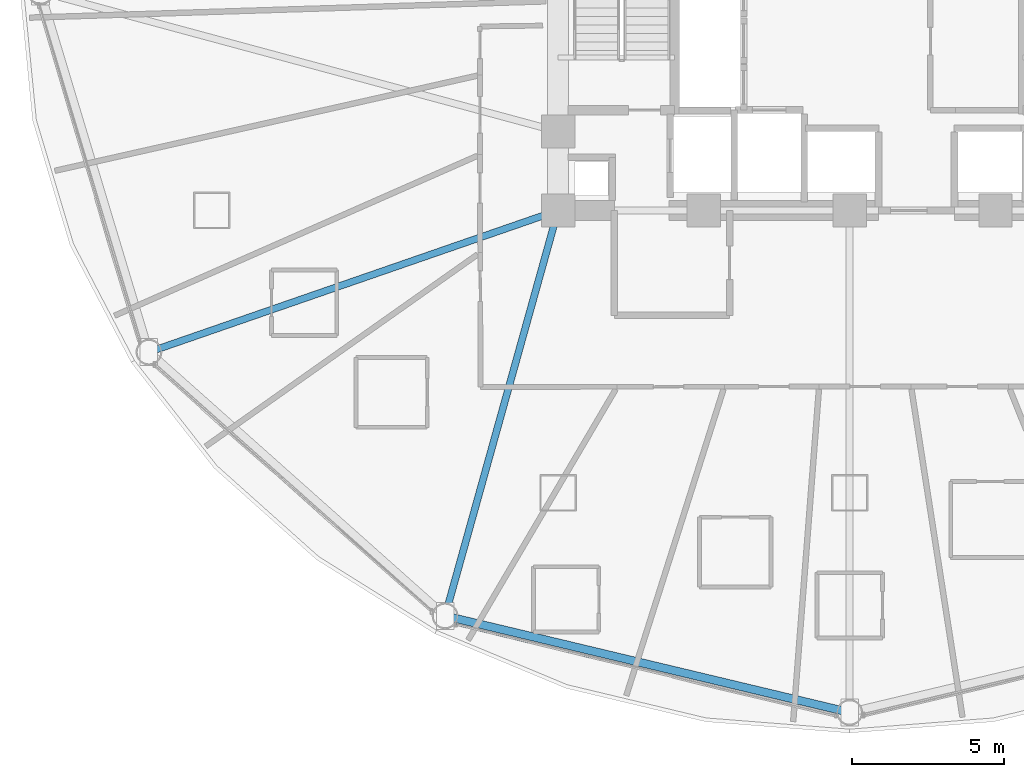
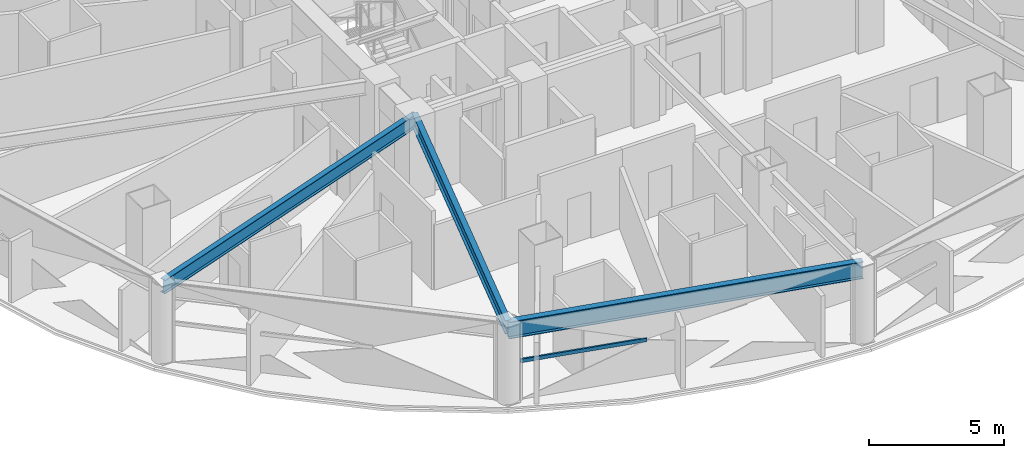
# One storey, part 3 of 32: 3 beams, 1 member, 1 element without a shape of its own.
"""IFC4 building model written with IfcOpenShell, lengths in metres."""

import ifcopenshell
import ifcopenshell.guid

model = None  # the IFC model being written
_history = None  # IfcOwnerHistory: only IFC2X3 demands one
_inside = {}  # id of a spatial element -> (the spatial element, [elements in it])
_under = {}  # id of a project, library or spatial element -> (it, [spatial elements below it])
_declared = {}  # id of a project -> (the project, [libraries it declares])
_typed = {}  # id of a type object -> (the type object, [elements of that type])
_made_of = {}  # id of a material, layer set ... -> (it, [elements and type objects made of it])


def new_model(schema):
    """Start an empty IFC model of exactly this schema.

    Asked for "IFC4X3", IfcOpenShell would pick the latest addendum, in which some entities
    have other attributes; the version numbers below select the first issue.
    IFC2X3 requires an IfcOwnerHistory on every rooted entity: one is made here for all.
    """
    global model, _history
    if schema == "IFC4X3":
        model = ifcopenshell.file(schema_version=(4, 3, 0, 0))
    else:
        model = ifcopenshell.file(schema=schema)
    _inside.clear()
    _under.clear()
    _declared.clear()
    _typed.clear()
    _made_of.clear()
    _history = None
    if model.schema == "IFC2X3":
        org = make("IfcOrganization", Name="unknown")
        user = make(
            "IfcPersonAndOrganization",
            ThePerson=make("IfcPerson", FamilyName="unknown"),
            TheOrganization=org,
        )
        app = make(
            "IfcApplication",
            ApplicationDeveloper=org,
            Version="unknown",
            ApplicationFullName="unknown",
            ApplicationIdentifier="unknown",
        )
        _history = make(
            "IfcOwnerHistory",
            OwningUser=user,
            OwningApplication=app,
            ChangeAction="ADDED",
            CreationDate=0,
        )
    return model


def make(cls, **values):
    """One entity of the class cls with the attributes given. An attribute that is None is left unset."""
    return model.create_entity(
        cls, **{name: value for name, value in values.items() if value is not None}
    )


def rooted(cls, **values):
    """An entity with a GlobalId (a new one), such as an element, a storey or a relation."""
    return make(cls, GlobalId=ifcopenshell.guid.new(), OwnerHistory=_history, **values)


def si_unit(unit_type, name, prefix=None):
    """IfcSIUnit, for example si_unit("LENGTHUNIT", "METRE", prefix="MILLI")."""
    return make("IfcSIUnit", UnitType=unit_type, Prefix=prefix, Name=name)


def assignment(units):
    """IfcUnitAssignment: the units of a project."""
    return None if units is None else make("IfcUnitAssignment", Units=units)


def point(xyz):
    """IfcCartesianPoint."""
    return None if xyz is None else make("IfcCartesianPoint", Coordinates=xyz)


def direction(xyz):
    """IfcDirection."""
    return None if xyz is None else make("IfcDirection", DirectionRatios=xyz)


def frame(location, z_axis=None, x_axis=None):
    """IfcAxis2Placement3D, a coordinate frame: its origin and axes. An axis left out is left unset."""
    return make(
        "IfcAxis2Placement3D",
        Location=point(location),
        Axis=direction(z_axis),
        RefDirection=direction(x_axis),
    )


def frame_2d(location, x_axis=None):
    """IfcAxis2Placement2D, a coordinate frame in the plane: its origin and x axis."""
    return make(
        "IfcAxis2Placement2D", Location=point(location), RefDirection=direction(x_axis)
    )


def origin():
    """The frame at (0, 0, 0) with its axes left unset."""
    return frame((0.0, 0.0, 0.0))


def origin_2d():
    """The frame at (0, 0) in the plane with its x axis left unset."""
    return frame_2d((0.0, 0.0))


def place(relative_to, where):
    """IfcLocalPlacement: puts the frame where relative to a parent placement (None: the world)."""
    return make(
        "IfcLocalPlacement", PlacementRelTo=relative_to, RelativePlacement=where
    )


def context(
    kind, dimensions, precision=None, world=None, true_north=None, identifier=None
):
    """IfcGeometricRepresentationContext, for example the 3D "Model" context."""
    return make(
        "IfcGeometricRepresentationContext",
        ContextIdentifier=identifier,
        ContextType=kind,
        CoordinateSpaceDimension=dimensions,
        Precision=precision,
        WorldCoordinateSystem=world,
        TrueNorth=true_north,
    )


def subcontext(parent, identifier, kind, view, scale=None):
    """IfcGeometricRepresentationSubContext, for example "Body" below "Model"."""
    return make(
        "IfcGeometricRepresentationSubContext",
        ContextIdentifier=identifier,
        ContextType=kind,
        ParentContext=parent,
        TargetScale=scale,
        TargetView=view,
    )


def project(units=None, contexts=None):
    """IfcProject with its units and contexts."""
    return rooted(
        "IfcProject",
        Name="project",
        RepresentationContexts=contexts,
        UnitsInContext=assignment(units),
    )


def spatial(cls, under=None, at=None, **own):
    """A site, building, storey or space (cls), placed at a placement, below another one or the project."""
    s = rooted(cls, ObjectPlacement=at, **own)
    if under is not None:
        _under.setdefault(under.id(), (under, []))[1].append(s)
    return s


def profile(cls, at=None, kind="AREA", **sizes):
    """A parametric profile (cls). Its sizes go by their IFC names, for example OverallWidth=200.0."""
    return make(cls, ProfileType=kind, Position=at, **sizes)


def hollow_rectangle(**sizes):
    """IfcRectangleHollowProfileDef."""
    return profile("IfcRectangleHollowProfileDef", **sizes)


def i_section(**sizes):
    """IfcIShapeProfileDef."""
    return profile("IfcIShapeProfileDef", **sizes)


def extrude(swept, where, along, depth):
    """IfcExtrudedAreaSolid: the profile swept, set in the frame where, extruded along a direction by depth."""
    return make(
        "IfcExtrudedAreaSolid",
        SweptArea=swept,
        Position=where,
        ExtrudedDirection=direction(along),
        Depth=depth,
    )


def shape(context_of_items, identifier, shape_type, items):
    """IfcShapeRepresentation: the items that make up one representation, for example the "Body"."""
    return make(
        "IfcShapeRepresentation",
        ContextOfItems=context_of_items,
        RepresentationIdentifier=identifier,
        RepresentationType=shape_type,
        Items=items,
    )


def material(Name=None, Category=None):
    """IfcMaterial."""
    return make("IfcMaterial", Name=Name, Category=Category)


def layer(
    of_material, thickness, ventilated=None, Name=None, Category=None, Priority=None
):
    """IfcMaterialLayer: one layer of a wall or slab, of a material (None: an air gap)."""
    return make(
        "IfcMaterialLayer",
        Material=of_material,
        LayerThickness=thickness,
        IsVentilated=ventilated,
        Name=Name,
        Category=Category,
        Priority=Priority,
    )


def layer_set(layers, Name=None):
    """IfcMaterialLayerSet."""
    return make("IfcMaterialLayerSet", MaterialLayers=layers, LayerSetName=Name)


def material_profile(
    of_material, cross_section, Name=None, Category=None, Priority=None
):
    """IfcMaterialProfile: a cross section and its material."""
    return make(
        "IfcMaterialProfile",
        Name=Name,
        Material=of_material,
        Profile=cross_section,
        Priority=Priority,
        Category=Category,
    )


def profile_set(profiles, Name=None, composite=None):
    """IfcMaterialProfileSet."""
    return make(
        "IfcMaterialProfileSet",
        Name=Name,
        MaterialProfiles=profiles,
        CompositeProfile=composite,
    )


def made_of(thing, what):
    """Note that an element or type object is made of a material, layer set ...; save() writes the relation."""
    if what is not None:
        _made_of.setdefault(what.id(), (what, []))[1].append(thing)
    return thing


def type_object(cls, material=None, **own):
    """A type object (cls), such as IfcWallType, which elements share."""
    return made_of(rooted(cls, **own), material)


def element(
    cls,
    number,
    at=None,
    inside=None,
    cuts=None,
    type_object=None,
    material=None,
    context=None,
    identifier="Body",
    shape_type=None,
    held_by="IfcProductDefinitionShape",
    body=None,
    shapes=None,
    **own,
):
    """One element of the class cls, such as IfcWall. Its Tag is "e" and its number.

    at: its placement. inside: the storey or other place that contains it. cuts: it is an
    opening in that element (IfcRelVoidsElement). A single representation is given by context,
    identifier, shape_type and body (its items); several are given by shapes. held_by: the class
    of the entity that holds the representations. save() writes the other relations.
    """
    e = rooted(cls, Tag="e%d" % number, ObjectPlacement=at, **own)
    if body is not None:
        shapes = [shape(context, identifier, shape_type, body)]
    if shapes is not None:
        e.Representation = make(held_by, Representations=shapes)
    if inside is not None:
        _inside.setdefault(inside.id(), (inside, []))[1].append(e)
    if cuts is not None:
        rooted(
            "IfcRelVoidsElement", RelatingBuildingElement=cuts, RelatedOpeningElement=e
        )
    if type_object is not None:
        _typed.setdefault(type_object.id(), (type_object, []))[1].append(e)
    return made_of(e, material)


def aggregate(whole, parts):
    """IfcRelAggregates: a whole, such as a stair, and the parts it consists of."""
    return rooted("IfcRelAggregates", RelatingObject=whole, RelatedObjects=parts)


def save(model, path):
    """Write the relations noted so far, then the file.

    IfcRelAggregates (storeys below a building ...), IfcRelContainedInSpatialStructure (elements
    in a storey), IfcRelDefinesByType, IfcRelAssociatesMaterial and IfcRelDeclares: one each for
    every whole, place, type object, material and project.
    """
    for whole, parts in _under.values():
        aggregate(whole, parts)
    for where, things in _inside.values():
        rooted(
            "IfcRelContainedInSpatialStructure",
            RelatedElements=things,
            RelatingStructure=where,
        )
    for kind, things in _typed.values():
        rooted("IfcRelDefinesByType", RelatedObjects=things, RelatingType=kind)
    for what, things in _made_of.values():
        rooted("IfcRelAssociatesMaterial", RelatedObjects=things, RelatingMaterial=what)
    for by, libraries in _declared.values():
        rooted("IfcRelDeclares", RelatingContext=by, RelatedDefinitions=libraries)
    model.write(path)


model = new_model("IFC4")

# Units and contexts
model_context = context("Model", 3, precision=1e-05, world=origin(), true_north=direction((0.0, 1.0)))
body_context = subcontext(model_context, "Body", "Model", "MODEL_VIEW")
ifc_project = project(units=[si_unit("LENGTHUNIT", "METRE"), si_unit("AREAUNIT", "SQUARE_METRE"), si_unit("VOLUMEUNIT", "CUBIC_METRE"), si_unit("PLANEANGLEUNIT", "RADIAN"), si_unit("MASSUNIT", "GRAM", prefix="KILO")], contexts=[model_context])

# Site, building, storey
site_placement = place(None, origin())
site = spatial("IfcSite", under=ifc_project, at=site_placement, CompositionType="ELEMENT")
building_placement = place(site_placement, origin())
building = spatial("IfcBuilding", under=site, at=building_placement, Name="Vantalir Tower", CompositionType="ELEMENT")
storey_placement = place(building_placement, frame((0.0, 0.0, 45.75)))
storey = spatial("IfcBuildingStorey", under=building, at=storey_placement, Name="L10", CompositionType="ELEMENT", Elevation=45.75)

# Beams
ifc_material_1 = material(Name="Steel S355", Category="steel")
ifc_material_profile_1 = material_profile(ifc_material_1, i_section(OverallWidth=0.22998046875, OverallDepth=0.616943359375, WebThickness=0.01318359375, FlangeThickness=0.022216796875, at=origin_2d()), Name="Steel S355")
ifc_profile_set_1 = profile_set([ifc_material_profile_1], Name="Steel S355")
beam_type_1 = type_object("IfcBeamType", Name="BM-RB-610x229", PredefinedType="BEAM", material=ifc_profile_set_1)
beam_1_placement = place(storey_placement, frame((8.429931640625, 13.136962890625, 3.261962890625), z_axis=(0.944977317019, 0.327135859117, 0.0), x_axis=(-0.327135859117, 0.944977317019, 0.0)))
element("IfcBeam", 1, at=beam_1_placement, inside=storey, type_object=beam_type_1, Name="L10 Radial Floor Beam 08", PredefinedType="BEAM", context=body_context, shape_type="SweptSolid", body=[
    extrude(i_section(OverallWidth=0.22998046875, OverallDepth=0.616943359375, WebThickness=0.01318359375, FlangeThickness=0.022216796875, at=origin_2d()), origin(), (0.0, 0.0, 1.0), 14.25439453125),
])
beam_2_placement = place(storey_placement, frame((18.179931640625, 4.452880859375, 3.261962890625), z_axis=(0.268476196098, 0.963286318873, 0.0), x_axis=(-0.963286318873, 0.268476196098, 0.0)))
element("IfcBeam", 2, at=beam_2_placement, inside=storey, type_object=beam_type_1, Name="L10 Radial Floor Beam 09", PredefinedType="BEAM", context=body_context, shape_type="SweptSolid", body=[
    extrude(i_section(OverallWidth=0.22998046875, OverallDepth=0.616943359375, WebThickness=0.01318359375, FlangeThickness=0.022216796875, at=origin_2d()), origin(), (0.0, 0.0, 1.0), 13.85595703125),
])
ifc_material_2 = material(Name="Steel S460", Category="steel")
ifc_material_profile_2 = material_profile(ifc_material_2, i_section(OverallWidth=0.26806640625, OverallDepth=0.77001953125, WebThickness=0.015625, FlangeThickness=0.025390625, at=origin_2d()), Name="Steel S460")
ifc_profile_set_2 = profile_set([ifc_material_profile_2], Name="Steel S460")
beam_type_2 = type_object("IfcBeamType", Name="BM-RG-762x267", PredefinedType="USERDEFINED", material=ifc_profile_set_2)
beam_3_placement = place(storey_placement, frame((18.179931640625, 4.452880859375, 3.18505859375), z_axis=(0.972682503887, -0.232139498215, 0.0), x_axis=(0.232139498215, 0.972682503887, 0.0)))
element("IfcBeam", 3, at=beam_3_placement, inside=storey, type_object=beam_type_2, Name="L10 Circumferential Ring Girder 09", ObjectType="GIRDER", PredefinedType="USERDEFINED", context=body_context, shape_type="SweptSolid", body=[
    extrude(i_section(OverallWidth=0.26806640625, OverallDepth=0.77001953125, WebThickness=0.015625, FlangeThickness=0.025390625, at=origin_2d()), origin(), (0.0, 0.0, 1.0), 13.694091796875),
])

# Curtain wall, member
ifc_material_3 = material(Name="Champagne-silver PVDF aluminium and double-silver Low-E glass", Category="aluminium")
ifc_layer = layer(ifc_material_3, 0.18994140625)
ifc_layer_set = layer_set([ifc_layer], Name="Champagne-silver PVDF aluminium and double-silver Low-E glass")
curtain_wall_type = type_object("IfcCurtainWallType", Name="CW-DIAMOND-Z1", PredefinedType="USERDEFINED", material=ifc_layer_set)
curtain_wall_placement = place(storey_placement, origin())
curtain_wall = element("IfcCurtainWall", 4, at=curtain_wall_placement, inside=storey, type_object=curtain_wall_type, Name="L10 Quilted Pyramid-Diamond Curtain Wall S09", ObjectType="UNITISED CURTAIN WALL", PredefinedType="USERDEFINED")
ifc_material_4 = material(Name="Champagne-silver PVDF aluminium 6063-T6", Category="aluminium")
ifc_material_profile_3 = material_profile(ifc_material_4, hollow_rectangle(XDim=0.074951171875, YDim=0.159912109375, WallThickness=0.00390625, at=origin_2d()), Name="Champagne-silver PVDF aluminium 6063-T6")
ifc_profile_set_3 = profile_set([ifc_material_profile_3], Name="Champagne-silver PVDF aluminium 6063-T6")
member_type = type_object("IfcMemberType", Name="CWT-160x75", PredefinedType="USERDEFINED", material=ifc_profile_set_3)
member_placement = place(storey_placement, frame((18.5419921875, 4.178955078125, 1.784912109375), z_axis=(0.971500957394, -0.237035629774, 0.0), x_axis=(0.237035629774, 0.971500957394, 0.0)))
member = element("IfcMember", 5, at=member_placement, type_object=member_type, Name="CW-L10-S09 Pyramid Fold Ridge Transom", ObjectType="TRANSOM", PredefinedType="USERDEFINED", context=body_context, shape_type="SweptSolid", body=[
    extrude(hollow_rectangle(XDim=0.074951171875, YDim=0.159912109375, WallThickness=0.00390625, at=origin_2d()), origin(), (0.0, 0.0, 1.0), 4.881103515625),
])
aggregate(curtain_wall, [member])

save(model, "model.ifc")
